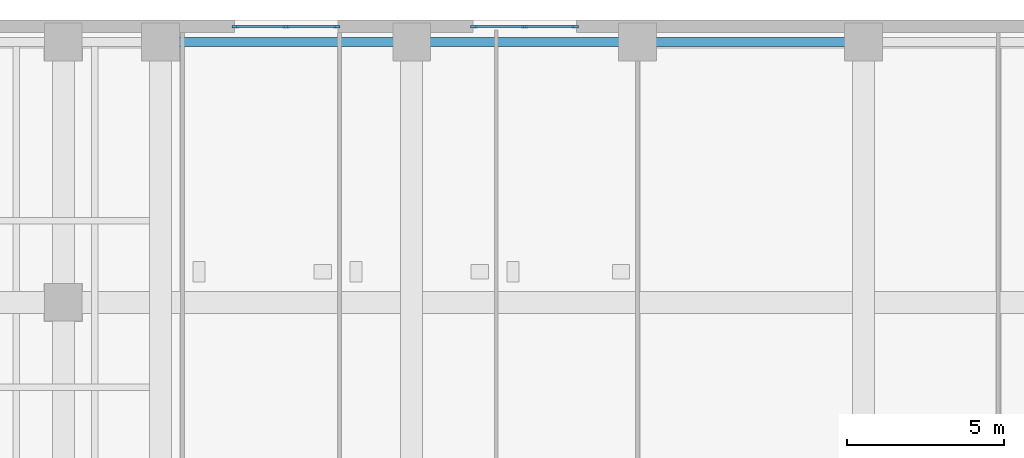
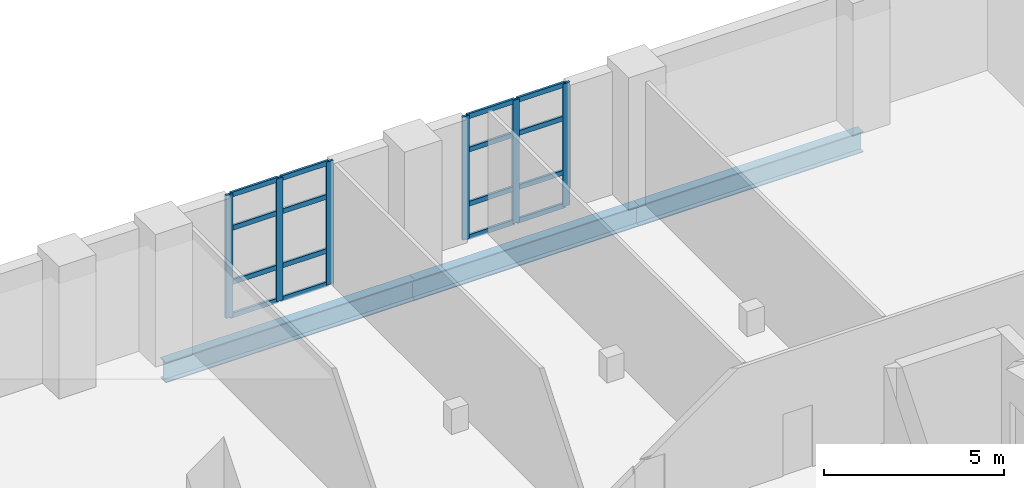
# One storey, part 5 of 15: 22 members, 3 beams, 2 elements without a shape of their own.
"""IFC4 building model written with IfcOpenShell, lengths in metres."""

from ifc_helpers import new_model, si_unit, direction, frame, origin, origin_2d, place, context, subcontext, project, spatial, rectangle, i_section, extrude, material, layer, layer_set, material_profile, profile_set, type_object, element, aggregate, save


model = new_model("IFC4")

# Units and contexts
model_context = context("Model", 3, precision=1e-05, world=origin(), true_north=direction((0.0, 1.0)))
body_context = subcontext(model_context, "Body", "Model", "MODEL_VIEW")
ifc_project = project(units=[si_unit("LENGTHUNIT", "METRE"), si_unit("AREAUNIT", "SQUARE_METRE"), si_unit("VOLUMEUNIT", "CUBIC_METRE"), si_unit("PLANEANGLEUNIT", "RADIAN"), si_unit("MASSUNIT", "GRAM", prefix="KILO")], contexts=[model_context])

# Site, building, storey
site_placement = place(None, origin())
site = spatial("IfcSite", under=ifc_project, at=site_placement, CompositionType="ELEMENT")
building_placement = place(site_placement, origin())
building = spatial("IfcBuilding", under=site, at=building_placement, Name="Kranthara Brick Stack", CompositionType="ELEMENT")
storey_placement = place(building_placement, frame((0.0, 0.0, 9.89990234375)))
storey = spatial("IfcBuildingStorey", under=building, at=storey_placement, Name="L02", CompositionType="ELEMENT", Elevation=9.89990234375)

# Beams
ifc_material_1 = material(Name="Steel S355", Category="steel")
ifc_material_profile_1 = material_profile(ifc_material_1, i_section(OverallWidth=0.300048828125, OverallDepth=0.699951171875, WebThickness=0.01708984375, FlangeThickness=0.031982421875, at=origin_2d()), Name="HEB 700")
ifc_profile_set_1 = profile_set([ifc_material_profile_1], Name="Steel S355")
beam_type = type_object("IfcBeamType", Name="BM-STL-HEB700", PredefinedType="BEAM", material=ifc_profile_set_1)
beam_placement = place(storey_placement, frame((12.800048828125, 52.199951171875, -0.669921875), z_axis=(1.0, 0.0, 0.0), x_axis=(0.0, 1.0, 0.0)))
element("IfcBeam", 1, at=beam_placement, inside=storey, type_object=beam_type, Name="L02 Perimeter Spandrel Beam 014", PredefinedType="BEAM", context=body_context, shape_type="SweptSolid", body=[
    extrude(i_section(OverallWidth=0.300048828125, OverallDepth=0.699951171875, WebThickness=0.01708984375, FlangeThickness=0.031982421875, at=origin_2d()), origin(), (0.0, 0.0, 1.0), 8.0),
])
for number, where, z_axis, x_axis, name in (
    (2, (20.800048828125, 52.199951171875, -0.669921875), (1.0, 0.0, 0.0), (0.0, 1.0, 0.0), "L02 Perimeter Spandrel Beam 015"),
    (3, (28.0, 52.199951171875, -0.669921875), (1.0, 0.0, 0.0), (0.0, 1.0, 0.0), "L02 Perimeter Spandrel Beam 016"),
):
    element("IfcBeam", number, at=place(storey_placement, frame(where, z_axis=z_axis, x_axis=x_axis)), inside=storey, type_object=beam_type, Name=name, PredefinedType="BEAM", context=body_context, shape_type="SweptSolid", body=[
        extrude(i_section(OverallWidth=0.300048828125, OverallDepth=0.699951171875, WebThickness=0.01708984375, FlangeThickness=0.031982421875, at=origin_2d()), origin(), (0.0, 0.0, 1.0), 7.199951171875),
    ])

# Curtain wall, members
ifc_material_2 = material(Name="Bronze anodised aluminium and low-E glass", Category="aluminium")
ifc_layer = layer(ifc_material_2, 0.219970703125)
ifc_layer_set = layer_set([ifc_layer], Name="Bronze anodised aluminium and low-E glass")
curtain_wall_type = type_object("IfcCurtainWallType", Name="CW-SYS2-PODIUM", PredefinedType="USERDEFINED", material=ifc_layer_set)
curtain_wall_1_placement = place(storey_placement, origin())
curtain_wall_1 = element("IfcCurtainWall", 4, at=curtain_wall_1_placement, inside=storey, type_object=curtain_wall_type, Name="L02 Curtain Wall CW2-L02-01", ObjectType="UNITISED CURTAIN WALL", PredefinedType="USERDEFINED")
ifc_material_3 = material(Name="Bronze anodised aluminium 6063-T6", Category="aluminium")
ifc_material_profile_2 = material_profile(ifc_material_3, rectangle(XDim=0.074951171875, YDim=0.219970703125, at=origin_2d()), Name="ALU MULLION 75x220")
ifc_profile_set_2 = profile_set([ifc_material_profile_2], Name="Bronze anodised aluminium 6063-T6")
member_type_1 = type_object("IfcMemberType", Name="CWM-75x220", PredefinedType="MULLION", material=ifc_profile_set_2)
member_1_placement = place(storey_placement, frame((15.1875, 52.68994140625, 0.0), z_axis=(0.0, 0.0, 1.0), x_axis=(0.0, 1.0, 0.0)))
member_1 = element("IfcMember", 5, at=member_1_placement, type_object=member_type_1, Name="CW mullion 1", PredefinedType="MULLION", context=body_context, shape_type="SweptSolid", body=[
    extrude(rectangle(XDim=0.074951171875, YDim=0.219970703125, at=origin_2d()), origin(), (0.0, 0.0, 1.0), 4.18017578125),
])
member_2_placement = place(storey_placement, frame((16.800048828125, 52.68994140625, 0.0), z_axis=(0.0, 0.0, 1.0), x_axis=(0.0, 1.0, 0.0)))
member_2 = element("IfcMember", 6, at=member_2_placement, type_object=member_type_1, Name="CW mullion 2", PredefinedType="MULLION", context=body_context, shape_type="SweptSolid", body=[
    extrude(rectangle(XDim=0.074951171875, YDim=0.219970703125, at=origin_2d()), origin(), (0.0, 0.0, 1.0), 4.18017578125),
])
member_3_placement = place(storey_placement, frame((18.41259765625, 52.68994140625, 0.0), z_axis=(0.0, 0.0, 1.0), x_axis=(0.0, 1.0, 0.0)))
member_3 = element("IfcMember", 7, at=member_3_placement, type_object=member_type_1, Name="CW mullion 3", PredefinedType="MULLION", context=body_context, shape_type="SweptSolid", body=[
    extrude(rectangle(XDim=0.074951171875, YDim=0.219970703125, at=origin_2d()), origin(), (0.0, 0.0, 1.0), 4.18017578125),
])

curtain_wall_2_placement = place(storey_placement, origin())
curtain_wall_2 = element("IfcCurtainWall", 8, at=curtain_wall_2_placement, inside=storey, type_object=curtain_wall_type, Name="L02 Curtain Wall CW2-L02-02", ObjectType="UNITISED CURTAIN WALL", PredefinedType="USERDEFINED")
member_4_placement = place(storey_placement, frame((22.78759765625, 52.68994140625, 0.0), z_axis=(0.0, 0.0, 1.0), x_axis=(0.0, 1.0, 0.0)))
member_4 = element("IfcMember", 9, at=member_4_placement, type_object=member_type_1, Name="CW mullion 1", PredefinedType="MULLION", context=body_context, shape_type="SweptSolid", body=[
    extrude(rectangle(XDim=0.074951171875, YDim=0.219970703125, at=origin_2d()), origin(), (0.0, 0.0, 1.0), 4.18017578125),
])
member_5_placement = place(storey_placement, frame((24.39990234375, 52.68994140625, 0.0), z_axis=(0.0, 0.0, 1.0), x_axis=(0.0, 1.0, 0.0)))
member_5 = element("IfcMember", 10, at=member_5_placement, type_object=member_type_1, Name="CW mullion 2", PredefinedType="MULLION", context=body_context, shape_type="SweptSolid", body=[
    extrude(rectangle(XDim=0.074951171875, YDim=0.219970703125, at=origin_2d()), origin(), (0.0, 0.0, 1.0), 4.18017578125),
])
member_6_placement = place(storey_placement, frame((26.012451171875, 52.68994140625, 0.0), z_axis=(0.0, 0.0, 1.0), x_axis=(0.0, 1.0, 0.0)))
member_6 = element("IfcMember", 11, at=member_6_placement, type_object=member_type_1, Name="CW mullion 3", PredefinedType="MULLION", context=body_context, shape_type="SweptSolid", body=[
    extrude(rectangle(XDim=0.074951171875, YDim=0.219970703125, at=origin_2d()), origin(), (0.0, 0.0, 1.0), 4.18017578125),
])

# Member
ifc_material_4 = material(Name="Bronze anodised aluminium 6063-T6", Category="aluminium")
ifc_material_profile_3 = material_profile(ifc_material_4, rectangle(XDim=0.074951171875, YDim=0.1650390625, at=origin_2d()), Name="ALU TRANSOM 75x165")
ifc_profile_set_3 = profile_set([ifc_material_profile_3], Name="Bronze anodised aluminium 6063-T6")
member_type_2 = type_object("IfcMemberType", Name="CWT-75x165", PredefinedType="USERDEFINED", material=ifc_profile_set_3)
member_7_placement = place(storey_placement, frame((15.22509765625, 52.68994140625, 0.03759765625), z_axis=(1.0, 0.0, 0.0), x_axis=(0.0, 1.0, 0.0)))
member_7 = element("IfcMember", 12, at=member_7_placement, type_object=member_type_2, Name="CW transom 1.1", ObjectType="TRANSOM", PredefinedType="USERDEFINED", context=body_context, shape_type="SweptSolid", body=[
    extrude(rectangle(XDim=0.074951171875, YDim=0.1650390625, at=origin_2d()), origin(), (0.0, 0.0, 1.0), 1.537353515625),
])

member_8_placement = place(storey_placement, frame((15.22509765625, 52.68994140625, 1.17041015625), z_axis=(1.0, 0.0, 0.0), x_axis=(0.0, 1.0, 0.0)))
member_8 = element("IfcMember", 13, at=member_8_placement, type_object=member_type_2, Name="CW transom 1.2", ObjectType="TRANSOM", PredefinedType="USERDEFINED", context=body_context, shape_type="SweptSolid", body=[
    extrude(rectangle(XDim=0.074951171875, YDim=0.1650390625, at=origin_2d()), origin(), (0.0, 0.0, 1.0), 1.537353515625),
])

member_9_placement = place(storey_placement, frame((15.22509765625, 52.68994140625, 3.009765625), z_axis=(1.0, 0.0, 0.0), x_axis=(0.0, 1.0, 0.0)))
member_9 = element("IfcMember", 14, at=member_9_placement, type_object=member_type_2, Name="CW transom 1.3", ObjectType="TRANSOM", PredefinedType="USERDEFINED", context=body_context, shape_type="SweptSolid", body=[
    extrude(rectangle(XDim=0.074951171875, YDim=0.1650390625, at=origin_2d()), origin(), (0.0, 0.0, 1.0), 1.537353515625),
])

member_10_placement = place(storey_placement, frame((15.22509765625, 52.68994140625, 4.142578125), z_axis=(1.0, 0.0, 0.0), x_axis=(0.0, 1.0, 0.0)))
member_10 = element("IfcMember", 15, at=member_10_placement, type_object=member_type_2, Name="CW transom 1.4", ObjectType="TRANSOM", PredefinedType="USERDEFINED", context=body_context, shape_type="SweptSolid", body=[
    extrude(rectangle(XDim=0.074951171875, YDim=0.1650390625, at=origin_2d()), origin(), (0.0, 0.0, 1.0), 1.537353515625),
])

member_11_placement = place(storey_placement, frame((16.83740234375, 52.68994140625, 0.03759765625), z_axis=(1.0, 0.0, 0.0), x_axis=(0.0, 1.0, 0.0)))
member_11 = element("IfcMember", 16, at=member_11_placement, type_object=member_type_2, Name="CW transom 2.1", ObjectType="TRANSOM", PredefinedType="USERDEFINED", context=body_context, shape_type="SweptSolid", body=[
    extrude(rectangle(XDim=0.074951171875, YDim=0.1650390625, at=origin_2d()), origin(), (0.0, 0.0, 1.0), 1.53759765625),
])

member_12_placement = place(storey_placement, frame((16.83740234375, 52.68994140625, 1.17041015625), z_axis=(1.0, 0.0, 0.0), x_axis=(0.0, 1.0, 0.0)))
member_12 = element("IfcMember", 17, at=member_12_placement, type_object=member_type_2, Name="CW transom 2.2", ObjectType="TRANSOM", PredefinedType="USERDEFINED", context=body_context, shape_type="SweptSolid", body=[
    extrude(rectangle(XDim=0.074951171875, YDim=0.1650390625, at=origin_2d()), origin(), (0.0, 0.0, 1.0), 1.53759765625),
])

member_13_placement = place(storey_placement, frame((16.83740234375, 52.68994140625, 3.009765625), z_axis=(1.0, 0.0, 0.0), x_axis=(0.0, 1.0, 0.0)))
member_13 = element("IfcMember", 18, at=member_13_placement, type_object=member_type_2, Name="CW transom 2.3", ObjectType="TRANSOM", PredefinedType="USERDEFINED", context=body_context, shape_type="SweptSolid", body=[
    extrude(rectangle(XDim=0.074951171875, YDim=0.1650390625, at=origin_2d()), origin(), (0.0, 0.0, 1.0), 1.53759765625),
])

member_14_placement = place(storey_placement, frame((16.83740234375, 52.68994140625, 4.142578125), z_axis=(1.0, 0.0, 0.0), x_axis=(0.0, 1.0, 0.0)))
member_14 = element("IfcMember", 19, at=member_14_placement, type_object=member_type_2, Name="CW transom 2.4", ObjectType="TRANSOM", PredefinedType="USERDEFINED", context=body_context, shape_type="SweptSolid", body=[
    extrude(rectangle(XDim=0.074951171875, YDim=0.1650390625, at=origin_2d()), origin(), (0.0, 0.0, 1.0), 1.53759765625),
])

aggregate(curtain_wall_1, [member_1, member_2, member_3, member_7, member_8, member_9, member_10, member_11, member_12, member_13, member_14])

member_15_placement = place(storey_placement, frame((22.824951171875, 52.68994140625, 0.03759765625), z_axis=(1.0, 0.0, 0.0), x_axis=(0.0, 1.0, 0.0)))
member_15 = element("IfcMember", 20, at=member_15_placement, type_object=member_type_2, Name="CW transom 1.1", ObjectType="TRANSOM", PredefinedType="USERDEFINED", context=body_context, shape_type="SweptSolid", body=[
    extrude(rectangle(XDim=0.074951171875, YDim=0.1650390625, at=origin_2d()), origin(), (0.0, 0.0, 1.0), 1.53759765625),
])

member_16_placement = place(storey_placement, frame((22.824951171875, 52.68994140625, 1.17041015625), z_axis=(1.0, 0.0, 0.0), x_axis=(0.0, 1.0, 0.0)))
member_16 = element("IfcMember", 21, at=member_16_placement, type_object=member_type_2, Name="CW transom 1.2", ObjectType="TRANSOM", PredefinedType="USERDEFINED", context=body_context, shape_type="SweptSolid", body=[
    extrude(rectangle(XDim=0.074951171875, YDim=0.1650390625, at=origin_2d()), origin(), (0.0, 0.0, 1.0), 1.53759765625),
])

member_17_placement = place(storey_placement, frame((22.824951171875, 52.68994140625, 3.009765625), z_axis=(1.0, 0.0, 0.0), x_axis=(0.0, 1.0, 0.0)))
member_17 = element("IfcMember", 22, at=member_17_placement, type_object=member_type_2, Name="CW transom 1.3", ObjectType="TRANSOM", PredefinedType="USERDEFINED", context=body_context, shape_type="SweptSolid", body=[
    extrude(rectangle(XDim=0.074951171875, YDim=0.1650390625, at=origin_2d()), origin(), (0.0, 0.0, 1.0), 1.53759765625),
])

member_18_placement = place(storey_placement, frame((22.824951171875, 52.68994140625, 4.142578125), z_axis=(1.0, 0.0, 0.0), x_axis=(0.0, 1.0, 0.0)))
member_18 = element("IfcMember", 23, at=member_18_placement, type_object=member_type_2, Name="CW transom 1.4", ObjectType="TRANSOM", PredefinedType="USERDEFINED", context=body_context, shape_type="SweptSolid", body=[
    extrude(rectangle(XDim=0.074951171875, YDim=0.1650390625, at=origin_2d()), origin(), (0.0, 0.0, 1.0), 1.53759765625),
])

member_19_placement = place(storey_placement, frame((24.4375, 52.68994140625, 0.03759765625), z_axis=(1.0, 0.0, 0.0), x_axis=(0.0, 1.0, 0.0)))
member_19 = element("IfcMember", 24, at=member_19_placement, type_object=member_type_2, Name="CW transom 2.1", ObjectType="TRANSOM", PredefinedType="USERDEFINED", context=body_context, shape_type="SweptSolid", body=[
    extrude(rectangle(XDim=0.074951171875, YDim=0.1650390625, at=origin_2d()), origin(), (0.0, 0.0, 1.0), 1.53759765625),
])

member_20_placement = place(storey_placement, frame((24.4375, 52.68994140625, 1.17041015625), z_axis=(1.0, 0.0, 0.0), x_axis=(0.0, 1.0, 0.0)))
member_20 = element("IfcMember", 25, at=member_20_placement, type_object=member_type_2, Name="CW transom 2.2", ObjectType="TRANSOM", PredefinedType="USERDEFINED", context=body_context, shape_type="SweptSolid", body=[
    extrude(rectangle(XDim=0.074951171875, YDim=0.1650390625, at=origin_2d()), origin(), (0.0, 0.0, 1.0), 1.53759765625),
])

member_21_placement = place(storey_placement, frame((24.4375, 52.68994140625, 3.009765625), z_axis=(1.0, 0.0, 0.0), x_axis=(0.0, 1.0, 0.0)))
member_21 = element("IfcMember", 26, at=member_21_placement, type_object=member_type_2, Name="CW transom 2.3", ObjectType="TRANSOM", PredefinedType="USERDEFINED", context=body_context, shape_type="SweptSolid", body=[
    extrude(rectangle(XDim=0.074951171875, YDim=0.1650390625, at=origin_2d()), origin(), (0.0, 0.0, 1.0), 1.53759765625),
])

member_22_placement = place(storey_placement, frame((24.4375, 52.68994140625, 4.142578125), z_axis=(1.0, 0.0, 0.0), x_axis=(0.0, 1.0, 0.0)))
member_22 = element("IfcMember", 27, at=member_22_placement, type_object=member_type_2, Name="CW transom 2.4", ObjectType="TRANSOM", PredefinedType="USERDEFINED", context=body_context, shape_type="SweptSolid", body=[
    extrude(rectangle(XDim=0.074951171875, YDim=0.1650390625, at=origin_2d()), origin(), (0.0, 0.0, 1.0), 1.53759765625),
])

aggregate(curtain_wall_2, [member_4, member_5, member_6, member_15, member_16, member_17, member_18, member_19, member_20, member_21, member_22])

save(model, "model.ifc")
